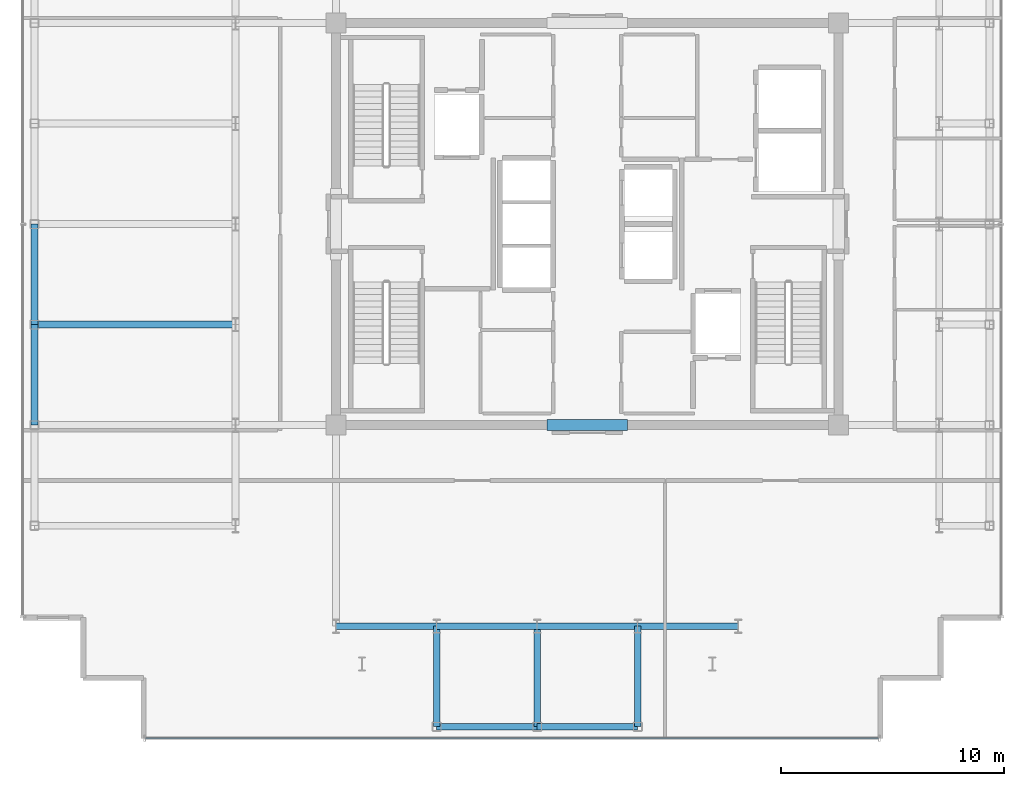
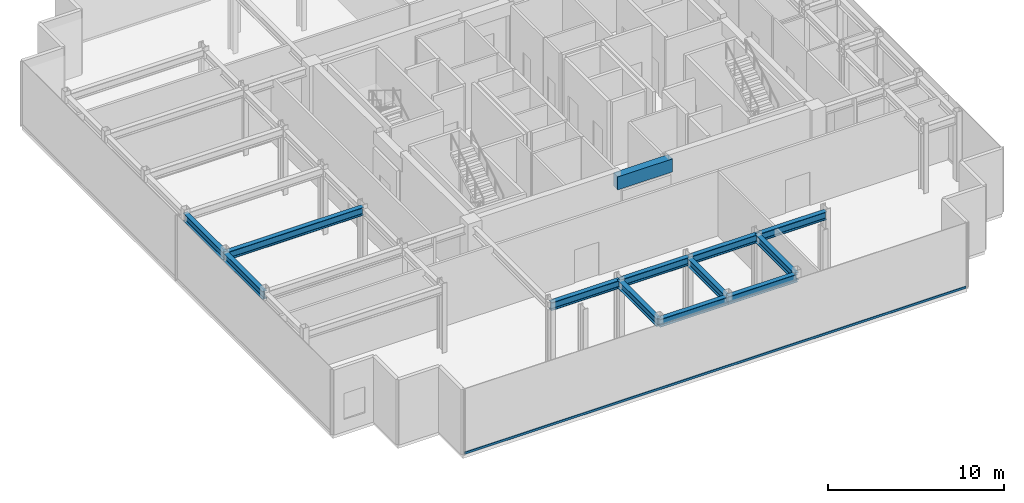
# One storey, part 3 of 17: 13 beams, 1 member, 1 element without a shape of its own.
"""IFC4 building model written with IfcOpenShell, lengths in metres."""

from ifc_helpers import new_model, si_unit, direction, frame, origin, origin_2d, place, context, subcontext, project, spatial, rectangle, hollow_rectangle, i_section, extrude, source, transform, mapped, material, layer, layer_set, material_profile, profile_set, type_object, element, aggregate, save


model = new_model("IFC4")

# Units and contexts
model_context = context("Model", 3, precision=1e-05, world=origin(), true_north=direction((0.0, 1.0)))
body_context = subcontext(model_context, "Body", "Model", "MODEL_VIEW")
ifc_project = project(units=[si_unit("LENGTHUNIT", "METRE"), si_unit("AREAUNIT", "SQUARE_METRE"), si_unit("VOLUMEUNIT", "CUBIC_METRE"), si_unit("PLANEANGLEUNIT", "RADIAN"), si_unit("MASSUNIT", "GRAM", prefix="KILO")], contexts=[model_context])

# Site, building, storey
site_placement = place(None, origin())
site = spatial("IfcSite", under=ifc_project, at=site_placement, CompositionType="ELEMENT")
building_placement = place(site_placement, origin())
building = spatial("IfcBuilding", under=site, at=building_placement, Name="Nefas-Gora Pilgrimage Tower", CompositionType="ELEMENT")
storey_placement = place(building_placement, frame((0.0, 0.0, 349.0)))
storey = spatial("IfcBuildingStorey", under=building, at=storey_placement, Name="L88", CompositionType="ELEMENT", Elevation=349.0)

# Beams
ifc_material_1 = material(Name="Concrete C50/60", Category="concrete")
ifc_material_profile_1 = material_profile(ifc_material_1, rectangle(XDim=0.5, YDim=0.89990234375, at=origin_2d()), Name="RC 500x900")
ifc_profile_set_1 = profile_set([ifc_material_profile_1], Name="Concrete C50/60")
beam_type_1 = type_object("IfcBeamType", Name="BM-LIN-RC900", PredefinedType="LINTEL", material=ifc_profile_set_1)
shared_shape_1 = source(origin(), body_context, "Body", "SweptSolid", [
    extrude(rectangle(XDim=0.5, YDim=0.89990234375, at=origin_2d()), origin(), (0.0, 0.0, 1.0), 3.60009765625),
])
beam_1_placement = place(storey_placement, frame((-1.800048828125, -9.0, 4.050048828125), z_axis=(1.0, 0.0, 0.0), x_axis=(0.0, 1.0, 0.0)))
element("IfcBeam", 1, at=beam_1_placement, inside=storey, type_object=beam_type_1, Name="L88 Core Coupling Lintel Beam S", PredefinedType="LINTEL", context=body_context, shape_type="MappedRepresentation", body=[
    mapped(shared_shape_1, transform((0.0, 0.0, 0.0), x_axis=(1.0, 0.0, 0.0), y_axis=(0.0, 1.0, 0.0), z_axis=(0.0, 0.0, 1.0), scale=1.0)),
])
ifc_material_2 = material(Name="Steel S355", Category="steel")
ifc_material_profile_2 = material_profile(ifc_material_2, i_section(OverallWidth=0.300048828125, OverallDepth=0.550048828125, WebThickness=0.014892578125, FlangeThickness=0.029052734375, FilletRadius=0.027099609375, at=origin_2d()), Name="HEB 550")
ifc_profile_set_2 = profile_set([ifc_material_profile_2], Name="Steel S355")
beam_type_2 = type_object("IfcBeamType", Name="BM-SPN-HEB400", PredefinedType="SPANDREL", material=ifc_profile_set_2)
shared_shape_2 = source(origin(), body_context, "Body", "SweptSolid", [
    extrude(i_section(OverallWidth=0.300048828125, OverallDepth=0.550048828125, WebThickness=0.014892578125, FlangeThickness=0.029052734375, FilletRadius=0.027099609375, at=origin_2d()), origin(), (0.0, 0.0, 1.0), 4.5),
])
for number, where, z_axis, x_axis, name in (
    (2, (-24.75, -9.0, 4.22509765625), (0.0, 1.0, 0.0), (-1.0, 0.0, 0.0), "L88 SP-04 beam"),
    (3, (-24.75, -4.5, 4.22509765625), (0.0, 1.0, 0.0), (-1.0, 0.0, 0.0), "L88 SP-04 beam"),
    (4, (-6.75, -22.5, 4.22509765625), (1.0, 0.0, 0.0), (0.0, 1.0, 0.0), "L88 SP-04 beam"),
    (5, (-2.25, -22.5, 4.22509765625), (1.0, 0.0, 0.0), (0.0, 1.0, 0.0), "L88 SP-04 beam"),
):
    element("IfcBeam", number, at=place(storey_placement, frame(where, z_axis=z_axis, x_axis=x_axis)), inside=storey, type_object=beam_type_2, Name=name, PredefinedType="SPANDREL", context=body_context, shape_type="MappedRepresentation", body=[
        mapped(shared_shape_2, transform((0.0, 0.0, 0.0), x_axis=(1.0, 0.0, 0.0), y_axis=(0.0, 1.0, 0.0), z_axis=(0.0, 0.0, 1.0), scale=1.0)),
    ])
ifc_material_profile_3 = material_profile(ifc_material_2, i_section(OverallWidth=0.300048828125, OverallDepth=0.550048828125, WebThickness=0.014892578125, FlangeThickness=0.029052734375, FilletRadius=0.027099609375, at=origin_2d()), Name="HEB 550")
ifc_profile_set_3 = profile_set([ifc_material_profile_3], Name="Steel S355")
beam_type_3 = type_object("IfcBeamType", Name="BM-GIR-HEB550", PredefinedType="BEAM", material=ifc_profile_set_3)
shared_shape_3 = source(origin(), body_context, "Body", "SweptSolid", [
    extrude(i_section(OverallWidth=0.300048828125, OverallDepth=0.550048828125, WebThickness=0.014892578125, FlangeThickness=0.029052734375, FilletRadius=0.027099609375, at=origin_2d()), origin(), (0.0, 0.0, 1.0), 9.0),
])
beam_2_placement = place(storey_placement, frame((-24.75, -4.5, 4.22509765625), z_axis=(1.0, 0.0, 0.0), x_axis=(0.0, 1.0, 0.0)))
element("IfcBeam", 6, at=beam_2_placement, inside=storey, type_object=beam_type_3, Name="L88 G-05 beam", PredefinedType="BEAM", context=body_context, shape_type="MappedRepresentation", body=[
    mapped(shared_shape_3, transform((0.0, 0.0, 0.0), x_axis=(1.0, 0.0, 0.0), y_axis=(0.0, 1.0, 0.0), z_axis=(0.0, 0.0, 1.0), scale=1.0)),
])
shared_shape_4 = source(origin(), body_context, "Body", "SweptSolid", [
    extrude(i_section(OverallWidth=0.300048828125, OverallDepth=0.550048828125, WebThickness=0.014892578125, FlangeThickness=0.029052734375, FilletRadius=0.027099609375, at=origin_2d()), origin(), (0.0, 0.0, 1.0), 4.5),
])
for number, where, z_axis, x_axis, name in (
    (7, (-11.25, -18.0, 4.22509765625), (1.0, 0.0, 0.0), (0.0, 1.0, 0.0), "L88 G-05 beam"),
    (8, (-6.75, -22.5, 4.22509765625), (0.0, 1.0, 0.0), (-1.0, 0.0, 0.0), "L88 G-05 beam"),
    (9, (-6.75, -18.0, 4.22509765625), (1.0, 0.0, 0.0), (0.0, 1.0, 0.0), "L88 G-05 beam"),
    (10, (-2.25, -22.5, 4.22509765625), (0.0, 1.0, 0.0), (-1.0, 0.0, 0.0), "L88 G-05 beam"),
    (11, (-2.25, -18.0, 4.22509765625), (1.0, 0.0, 0.0), (0.0, 1.0, 0.0), "L88 G-05 beam"),
    (12, (2.25, -22.5, 4.22509765625), (0.0, 1.0, 0.0), (-1.0, 0.0, 0.0), "L88 G-05 beam"),
    (13, (2.25, -18.0, 4.22509765625), (1.0, 0.0, 0.0), (0.0, 1.0, 0.0), "L88 G-05 beam"),
):
    element("IfcBeam", number, at=place(storey_placement, frame(where, z_axis=z_axis, x_axis=x_axis)), inside=storey, type_object=beam_type_3, Name=name, PredefinedType="BEAM", context=body_context, shape_type="MappedRepresentation", body=[
        mapped(shared_shape_4, transform((0.0, 0.0, 0.0), x_axis=(1.0, 0.0, 0.0), y_axis=(0.0, 1.0, 0.0), z_axis=(0.0, 0.0, 1.0), scale=1.0)),
    ])

# Curtain wall, member
ifc_material_3 = material(Name="Dark ceramic-fritted solar-control aluminium-glass curtain wall", Category="aluminium")
ifc_layer = layer(ifc_material_3, 0.219970703125)
ifc_layer_set = layer_set([ifc_layer], Name="Dark ceramic-fritted solar-control aluminium-glass curtain wall")
curtain_wall_type = type_object("IfcCurtainWallType", Name="CW-SYS-6", PredefinedType="NOTDEFINED", material=ifc_layer_set)
curtain_wall_placement = place(storey_placement, origin())
curtain_wall = element("IfcCurtainWall", 14, at=curtain_wall_placement, inside=storey, type_object=curtain_wall_type, Name="L88 Unitised Curtain Wall CW6", PredefinedType="NOTDEFINED")
ifc_material_4 = material(Name="Anodised architectural aluminium", Category="aluminium")
ifc_material_profile_4 = material_profile(ifc_material_4, hollow_rectangle(XDim=0.080078125, YDim=0.159912109375, WallThickness=0.00439453125, InnerFilletRadius=0.00439453125, OuterFilletRadius=0.009033203125, at=origin_2d()), Name="ALU TRANSOM 80x160")
ifc_profile_set_4 = profile_set([ifc_material_profile_4], Name="Anodised architectural aluminium")
member_type = type_object("IfcMemberType", Name="CWM-TRN-6", PredefinedType="USERDEFINED", material=ifc_profile_set_4)
shared_shape_5 = source(origin(), body_context, "Body", "SweptSolid", [
    extrude(hollow_rectangle(XDim=0.080078125, YDim=0.159912109375, WallThickness=0.00439453125, InnerFilletRadius=0.00439453125, OuterFilletRadius=0.009033203125, at=origin_2d()), origin(), (0.0, 0.0, 1.0), 32.81005859375),
])
member_placement = place(storey_placement, frame((-19.780029296875, -23.02001953125, 0.050048828125), z_axis=(1.0, 0.0, 0.0), x_axis=(0.0, 1.0, 0.0)))
member = element("IfcMember", 15, at=member_placement, type_object=member_type, Name="CW6 Spandrel Transom", ObjectType="TRANSOM", PredefinedType="USERDEFINED", context=body_context, shape_type="MappedRepresentation", body=[
    mapped(shared_shape_5, transform((0.0, 0.0, 0.0), x_axis=(1.0, 0.0, 0.0), y_axis=(0.0, 1.0, 0.0), z_axis=(0.0, 0.0, 1.0), scale=1.0)),
])
aggregate(curtain_wall, [member])

save(model, "model.ifc")
